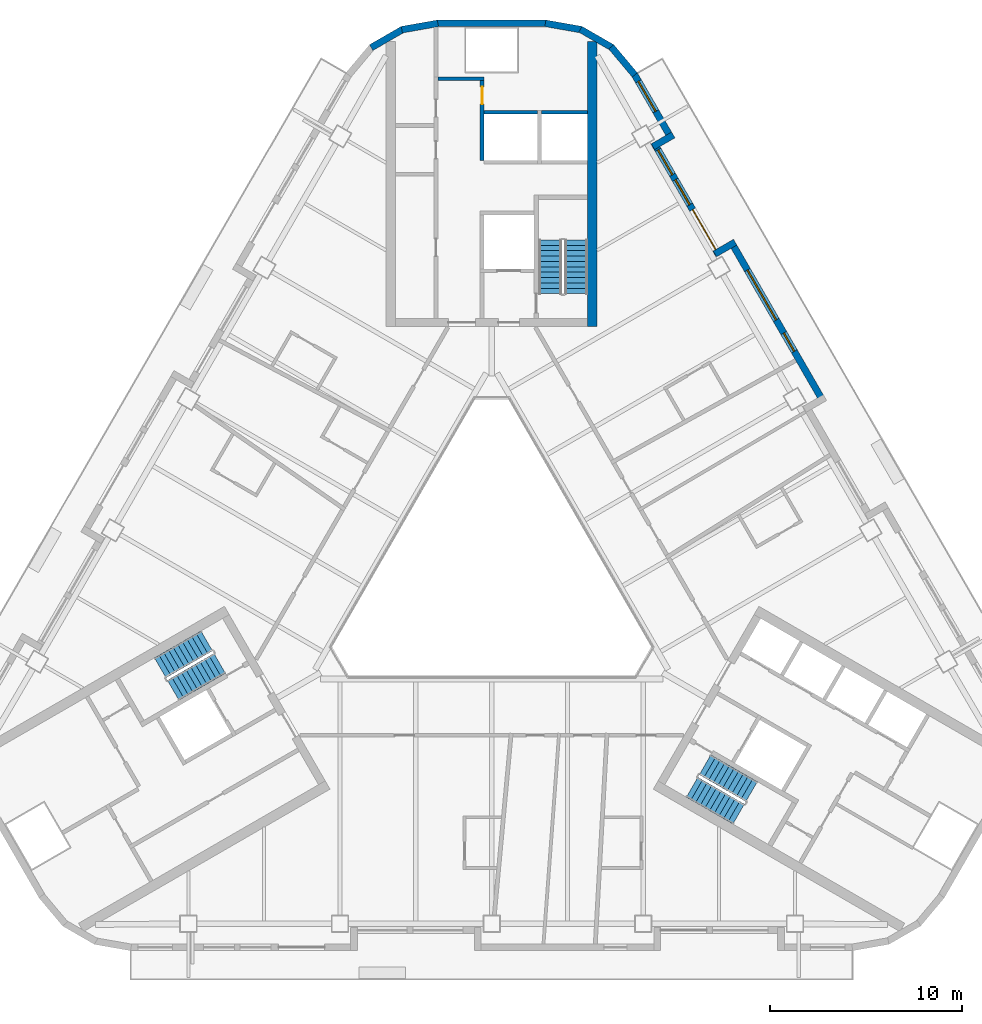
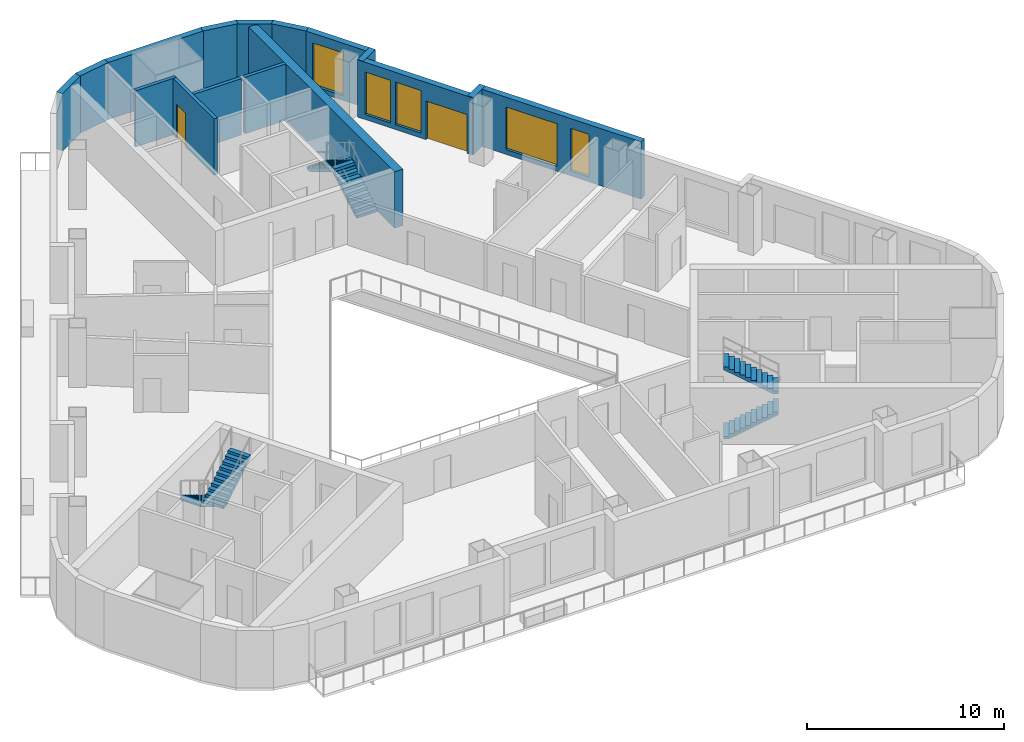
# One storey, part 7 of 13: 16 walls, 6 stair flights, 5 windows, 2 doors, 7 openings, 3 elements without a shape of their own.
"""IFC4 building model written with IfcOpenShell, lengths in metres."""

from ifc_helpers import new_model, si_unit, direction, frame, frame_2d, origin, place, context, subcontext, project, spatial, polyline, rectangle, outline, extrude, material, layer, layer_set, type_object, element, fill, aggregate, save


model = new_model("IFC4")

# Units and contexts
model_context = context("Model", 3, precision=1e-05, world=origin(), true_north=direction((0.0, 1.0)))
body_context = subcontext(model_context, "Body", "Model", "MODEL_VIEW")
ifc_project = project(units=[si_unit("LENGTHUNIT", "METRE"), si_unit("AREAUNIT", "SQUARE_METRE"), si_unit("VOLUMEUNIT", "CUBIC_METRE"), si_unit("PLANEANGLEUNIT", "RADIAN"), si_unit("MASSUNIT", "GRAM", prefix="KILO")], contexts=[model_context])

# Site, building, storey
site_placement = place(None, origin())
site = spatial("IfcSite", under=ifc_project, at=site_placement, CompositionType="ELEMENT")
building_placement = place(site_placement, origin())
building = spatial("IfcBuilding", under=site, at=building_placement, Name="Apuvela Tower Hotel", CompositionType="ELEMENT")
storey_placement = place(building_placement, frame((0.0, 0.0, 124.199951171875)))
storey = spatial("IfcBuildingStorey", under=building, at=storey_placement, Name="L29", CompositionType="ELEMENT", Elevation=124.199951171875)

# Walls
ifc_material_1 = material(Name="Concrete C50/60", Category="concrete")
ifc_layer_1 = layer(ifc_material_1, 0.5)
ifc_layer_set_1 = layer_set([ifc_layer_1], Name="COR-WALL-CORE-500")
wall_type_1 = type_object("IfcWallType", Name="COR-WALL-CORE-500", PredefinedType="SHEAR", material=ifc_layer_set_1)
wall_1_placement = place(storey_placement, frame((5.25, 12.89990234375, 0.0), z_axis=(0.0, 0.0, 1.0), x_axis=(0.0, 1.0, 0.0)))
element("IfcWall", 1, at=wall_1_placement, inside=storey, type_object=wall_type_1, Name="Core wall N", PredefinedType="SHEAR", context=body_context, shape_type="SweptSolid", body=[
    extrude(rectangle(XDim=14.8369140625, YDim=0.5, at=frame_2d((7.41845703125, 0.0))), origin(), (0.0, 0.0, 1.0), 3.5),
])
ifc_layer_2 = layer(ifc_material_1, 0.199951171875)
ifc_layer_set_2 = layer_set([ifc_layer_2], Name="COR-WALL-SHAFT-200")
wall_type_2 = type_object("IfcWallType", Name="COR-WALL-SHAFT-200", PredefinedType="SHEAR", material=ifc_layer_set_2)
wall_2_placement = place(storey_placement, frame((-0.39990234375, 25.800048828125, 0.0), z_axis=(0.0, 0.0, 1.0), x_axis=(-1.0, 0.0, 0.0)))
element("IfcWall", 2, at=wall_2_placement, inside=storey, type_object=wall_type_2, Name="Shaft wall N", PredefinedType="SHEAR", context=body_context, shape_type="SweptSolid", body=[
    extrude(rectangle(XDim=2.400146484375, YDim=0.199951171875, at=frame_2d((1.2001953125, 0.0))), origin(), (0.0, 0.0, 1.0), 3.5),
])

# Wall, opening, door
wall_3_placement = place(storey_placement, frame((-0.5, 21.550048828125, 0.0), z_axis=(0.0, 0.0, 1.0), x_axis=(0.0, 1.0, 0.0)))
wall_3 = element("IfcWall", 3, at=wall_3_placement, inside=storey, type_object=wall_type_2, Name="Shaft wall N", PredefinedType="SHEAR", context=body_context, shape_type="SweptSolid", body=[
    extrude(rectangle(XDim=4.14990234375, YDim=0.199951171875, at=frame_2d((2.074951171875, 0.0))), origin(), (0.0, 0.0, 1.0), 3.5),
])
opening_1_placement = place(wall_3_placement, frame((2.925048828125, 0.0, 0.0)))
opening_1 = element("IfcOpeningElement", 4, at=opening_1_placement, cuts=wall_3, Name="Opening N-RSP", PredefinedType="OPENING", context=body_context, shape_type="SweptSolid", body=[
    extrude(rectangle(XDim=0.89990234375, YDim=2.10009765625, at=frame_2d((0.449951171875, 1.050048828125))), frame((0.0, 0.10986328125, 0.0), z_axis=(0.0, -1.0, 0.0), x_axis=(1.0, 0.0, 0.0)), (0.0, 0.0, 1.0), 0.219970703125),
])
ifc_material_2 = material(Name="Steel fire door, powder coated", Category="steel")
door_type_1 = type_object("IfcDoorType", Name="COR-DR-900", OperationType="NOTDEFINED", PredefinedType="DOOR", material=ifc_material_2)
door_1_placement = place(opening_1_placement, frame((0.89990234375, 0.0, 0.0), z_axis=(0.0, 0.0, 1.0), x_axis=(-1.0, 0.0, 0.0)))
door_1 = element("IfcDoor", 5, at=door_1_placement, inside=storey, type_object=door_type_1, Name="Store door N-RSP", OperationType="SINGLE_SWING_LEFT", OverallHeight=2.10009765625, OverallWidth=0.89990234375, PredefinedType="DOOR", context=body_context, shape_type="SweptSolid", body=[
    extrude(rectangle(XDim=0.89990234375, YDim=2.10009765625, at=frame_2d((0.449951171875, 1.050048828125))), frame((0.0, 0.02490234375, 0.0), z_axis=(0.0, -1.0, 0.0), x_axis=(1.0, 0.0, 0.0)), (0.0, 0.0, 1.0), 0.050048828125),
])
fill(opening_1, door_1)

# Walls
wall_4_placement = place(storey_placement, frame((5.0, 24.050048828125, 0.0), z_axis=(0.0, 0.0, 1.0), x_axis=(-1.0, 0.0, 0.0)))
element("IfcWall", 6, at=wall_4_placement, inside=storey, type_object=wall_type_2, Name="Shaft wall N", PredefinedType="SHEAR", context=body_context, shape_type="SweptSolid", body=[
    extrude(rectangle(XDim=2.39990234375, YDim=0.199951171875, at=frame_2d((1.199951171875, 0.0))), origin(), (0.0, 0.0, 1.0), 3.5),
])
wall_5_placement = place(storey_placement, frame((2.39990234375, 24.050048828125, 0.0), z_axis=(0.0, 0.0, 1.0), x_axis=(-1.0, 0.0, 0.0)))
element("IfcWall", 7, at=wall_5_placement, inside=storey, type_object=wall_type_2, Name="Shaft wall N", PredefinedType="SHEAR", context=body_context, shape_type="SweptSolid", body=[
    extrude(rectangle(XDim=2.7998046875, YDim=0.199951171875, at=frame_2d((1.39990234375, 0.0))), origin(), (0.0, 0.0, 1.0), 3.5),
])

# Wall, openings, windows
ifc_material_3 = material(Name="Concrete C40/50, dark pigmented precast panel", Category="concrete")
ifc_layer_3 = layer(ifc_material_3, 0.35009765625)
ifc_layer_set_3 = layer_set([ifc_layer_3], Name="ENV-WALL-350")
wall_type_3 = type_object("IfcWallType", Name="ENV-WALL-350", PredefinedType="SOLIDWALL", material=ifc_layer_set_3)
wall_6_placement = place(storey_placement, frame((17.298583984375, 8.947998046875, 0.0), z_axis=(0.0, 0.0, 1.0), x_axis=(-0.500010041276, 0.866019606374, 0.0)))
wall_6 = element("IfcWall", 8, at=wall_6_placement, inside=storey, type_object=wall_type_3, Name="External wall L29-37", PredefinedType="SOLIDWALL", context=body_context, shape_type="SweptSolid", body=[
    extrude(rectangle(XDim=9.699951171875, YDim=0.35009765625, at=frame_2d((4.85009765625, 0.0))), origin(), (0.0, 0.0, 1.0), 3.550048828125),
])
opening_2_placement = place(wall_6_placement, frame((3.0595703125, 0.0, 0.300048828125)))
opening_2 = element("IfcOpeningElement", 9, at=opening_2_placement, cuts=wall_6, Name="Opening WN11", PredefinedType="OPENING", context=body_context, shape_type="SweptSolid", body=[
    extrude(rectangle(XDim=1.10009765625, YDim=2.64990234375, at=frame_2d((0.550048828125, 1.324951171875))), frame((0.0, 0.18505859375, 0.0), z_axis=(0.0, -1.0, 0.0), x_axis=(1.0, 0.0, 0.0)), (0.0, 0.0, 1.0), 0.3701171875),
])
opening_3_placement = place(wall_6_placement, frame((4.94921875, 0.0, 0.300048828125)))
opening_3 = element("IfcOpeningElement", 10, at=opening_3_placement, cuts=wall_6, Name="Opening WN30", PredefinedType="OPENING", context=body_context, shape_type="SweptSolid", body=[
    extrude(rectangle(XDim=3.0, YDim=2.64990234375, at=frame_2d((1.5, 1.324951171875))), frame((0.0, 0.18505859375, 0.0), z_axis=(0.0, -1.0, 0.0), x_axis=(1.0, 0.0, 0.0)), (0.0, 0.0, 1.0), 0.3701171875),
])
ifc_material_4 = material(Name="Glass, dark tinted laminated insulated glazing unit", Category="glass")
window_type_1 = type_object("IfcWindowType", Name="ENV-WIN-1100x2650", PartitioningType="SINGLE_PANEL", PredefinedType="WINDOW", material=ifc_material_4)
window_1_placement = place(opening_2_placement, origin())
window_1 = element("IfcWindow", 11, at=window_1_placement, inside=storey, type_object=window_type_1, Name="Window WN11", OverallHeight=2.64990234375, OverallWidth=1.10009765625, PartitioningType="SINGLE_PANEL", PredefinedType="WINDOW", context=body_context, shape_type="SweptSolid", body=[
    extrude(rectangle(XDim=1.10009765625, YDim=2.64990234375, at=frame_2d((0.550048828125, 1.324951171875))), frame((0.0, 0.030029296875, 0.0), z_axis=(0.0, -1.0, 0.0), x_axis=(1.0, 0.0, 0.0)), (0.0, 0.0, 1.0), 0.06005859375),
])
fill(opening_2, window_1)
window_type_2 = type_object("IfcWindowType", Name="ENV-WIN-3000x2650", PartitioningType="SINGLE_PANEL", PredefinedType="WINDOW", material=ifc_material_4)
window_2_placement = place(opening_3_placement, origin())
window_2 = element("IfcWindow", 12, at=window_2_placement, inside=storey, type_object=window_type_2, Name="Window WN30", OverallHeight=2.64990234375, OverallWidth=3.0, PartitioningType="SINGLE_PANEL", PredefinedType="WINDOW", context=body_context, shape_type="SweptSolid", body=[
    extrude(rectangle(XDim=3.0, YDim=2.64990234375, at=frame_2d((1.5, 1.324951171875))), frame((0.0, 0.030029296875, 0.0), z_axis=(0.0, -1.0, 0.0), x_axis=(1.0, 0.0, 0.0)), (0.0, 0.0, 1.0), 0.06005859375),
])
fill(opening_3, window_2)

# Wall
wall_7_placement = place(storey_placement, frame((12.6875, 17.284423828125, 0.0), z_axis=(0.0, 0.0, 1.0), x_axis=(-0.865955602162, -0.500120880472, 0.0)))
element("IfcWall", 13, at=wall_7_placement, inside=storey, type_object=wall_type_3, Name="External wall L29-38", PredefinedType="SOLIDWALL", context=body_context, shape_type="SweptSolid", body=[
    extrude(rectangle(XDim=1.219970703125, YDim=0.35009765625, at=frame_2d((0.60986328125, 0.0))), origin(), (0.0, 0.0, 1.0), 3.550048828125),
])

# Wall, openings, door, windows
wall_8_placement = place(storey_placement, frame((11.8291015625, 16.621337890625, 0.0), z_axis=(0.0, 0.0, 1.0), x_axis=(-0.500003597184, 0.866023326939, 0.0)))
wall_8 = element("IfcWall", 14, at=wall_8_placement, inside=storey, type_object=wall_type_3, Name="External wall L29-39", PredefinedType="SOLIDWALL", context=body_context, shape_type="SweptSolid", body=[
    extrude(rectangle(XDim=6.740234375, YDim=0.35009765625, at=frame_2d((3.3701171875, 0.0))), origin(), (0.0, 0.0, 1.0), 3.550048828125),
])
opening_4_placement = place(wall_8_placement, frame((0.320068359375, 0.0, 0.0)))
opening_4 = element("IfcOpeningElement", 15, at=opening_4_placement, cuts=wall_8, Name="Opening BD24", PredefinedType="OPENING", context=body_context, shape_type="SweptSolid", body=[
    extrude(rectangle(XDim=2.39990234375, YDim=2.39990234375, at=frame_2d((1.199951171875, 1.199951171875))), frame((0.0, 0.18505859375, 0.0), z_axis=(0.0, -1.0, 0.0), x_axis=(1.0, 0.0, 0.0)), (0.0, 0.0, 1.0), 0.3701171875),
])
opening_5_placement = place(wall_8_placement, frame((3.02001953125, 0.0, 0.300048828125)))
opening_5 = element("IfcOpeningElement", 16, at=opening_5_placement, cuts=wall_8, Name="Opening WN15", PredefinedType="OPENING", context=body_context, shape_type="SweptSolid", body=[
    extrude(rectangle(XDim=1.5, YDim=2.64990234375, at=frame_2d((0.75, 1.324951171875))), frame((0.0, 0.18505859375, 0.0), z_axis=(0.0, -1.0, 0.0), x_axis=(1.0, 0.0, 0.0)), (0.0, 0.0, 1.0), 0.3701171875),
])
opening_6_placement = place(wall_8_placement, frame((4.820068359375, 0.0, 0.300048828125)))
opening_6 = element("IfcOpeningElement", 17, at=opening_6_placement, cuts=wall_8, Name="Opening WN15", PredefinedType="OPENING", context=body_context, shape_type="SweptSolid", body=[
    extrude(rectangle(XDim=1.5, YDim=2.64990234375, at=frame_2d((0.75, 1.324951171875))), frame((0.0, 0.18505859375, 0.0), z_axis=(0.0, -1.0, 0.0), x_axis=(1.0, 0.0, 0.0)), (0.0, 0.0, 1.0), 0.3701171875),
])
ifc_material_5 = material(Name="Aluminium 6063-T6, dark bronze anodised frame with dark tinted laminated glass", Category="aluminium")
door_type_2 = type_object("IfcDoorType", Name="ENV-DOOR-BALCONY-2400x2400", OperationType="SLIDING_TO_LEFT", PredefinedType="DOOR", material=ifc_material_5)
door_2_placement = place(opening_4_placement, frame((2.39990234375, 0.0, 0.0), z_axis=(0.0, 0.0, 1.0), x_axis=(-1.0, 0.0, 0.0)))
door_2 = element("IfcDoor", 18, at=door_2_placement, inside=storey, type_object=door_type_2, Name="Balcony door BD24", OperationType="SLIDING_TO_LEFT", OverallHeight=2.39990234375, OverallWidth=2.39990234375, PredefinedType="DOOR", context=body_context, shape_type="SweptSolid", body=[
    extrude(rectangle(XDim=2.39990234375, YDim=2.39990234375, at=frame_2d((1.199951171875, 1.199951171875))), frame((0.0, 0.02490234375, 0.0), z_axis=(0.0, -1.0, 0.0), x_axis=(1.0, 0.0, 0.0)), (0.0, 0.0, 1.0), 0.050048828125),
])
fill(opening_4, door_2)
window_type_3 = type_object("IfcWindowType", Name="ENV-WIN-1500x2650", PartitioningType="SINGLE_PANEL", PredefinedType="WINDOW", material=ifc_material_4)
window_3_placement = place(opening_5_placement, origin())
window_3 = element("IfcWindow", 19, at=window_3_placement, inside=storey, type_object=window_type_3, Name="Window WN15", OverallHeight=2.64990234375, OverallWidth=1.5, PartitioningType="SINGLE_PANEL", PredefinedType="WINDOW", context=body_context, shape_type="SweptSolid", body=[
    extrude(rectangle(XDim=1.5, YDim=2.64990234375, at=frame_2d((0.75, 1.324951171875))), frame((0.0, 0.030029296875, 0.0), z_axis=(0.0, -1.0, 0.0), x_axis=(1.0, 0.0, 0.0)), (0.0, 0.0, 1.0), 0.06005859375),
])
fill(opening_5, window_3)
window_4_placement = place(opening_6_placement, origin())
window_4 = element("IfcWindow", 20, at=window_4_placement, inside=storey, type_object=window_type_3, Name="Window WN15", OverallHeight=2.64990234375, OverallWidth=1.5, PartitioningType="SINGLE_PANEL", PredefinedType="WINDOW", context=body_context, shape_type="SweptSolid", body=[
    extrude(rectangle(XDim=1.5, YDim=2.64990234375, at=frame_2d((0.75, 1.324951171875))), frame((0.0, 0.030029296875, 0.0), z_axis=(0.0, -1.0, 0.0), x_axis=(1.0, 0.0, 0.0)), (0.0, 0.0, 1.0), 0.06005859375),
])
fill(opening_6, window_4)

# Wall
wall_9_placement = place(storey_placement, frame((8.406005859375, 22.26025390625, 0.0), z_axis=(0.0, 0.0, 1.0), x_axis=(0.865955602162, 0.500120880472, 0.0)))
element("IfcWall", 21, at=wall_9_placement, inside=storey, type_object=wall_type_3, Name="External wall L29-40", PredefinedType="SOLIDWALL", context=body_context, shape_type="SweptSolid", body=[
    extrude(rectangle(XDim=1.219970703125, YDim=0.35009765625, at=frame_2d((0.60986328125, 0.0))), origin(), (0.0, 0.0, 1.0), 3.550048828125),
])

# Wall, opening, window
wall_10_placement = place(storey_placement, frame((9.3984375, 22.631103515625, 0.0), z_axis=(0.0, 0.0, 1.0), x_axis=(-0.499954521343, 0.866051659307, 0.0)))
wall_10 = element("IfcWall", 22, at=wall_10_placement, inside=storey, type_object=wall_type_3, Name="External wall L29-41", PredefinedType="SOLIDWALL", context=body_context, shape_type="SweptSolid", body=[
    extrude(rectangle(XDim=3.915771484375, YDim=0.35009765625, at=frame_2d((1.9580078125, 0.0))), origin(), (0.0, 0.0, 1.0), 3.550048828125),
])
opening_7_placement = place(wall_10_placement, frame((1.69970703125, 0.0, 0.300048828125)))
opening_7 = element("IfcOpeningElement", 23, at=opening_7_placement, cuts=wall_10, Name="Opening WN18", PredefinedType="OPENING", context=body_context, shape_type="SweptSolid", body=[
    extrude(rectangle(XDim=1.800048828125, YDim=2.64990234375, at=frame_2d((0.89990234375, 1.324951171875))), frame((0.0, 0.18505859375, 0.0), z_axis=(0.0, -1.0, 0.0), x_axis=(1.0, 0.0, 0.0)), (0.0, 0.0, 1.0), 0.3701171875),
])
window_type_4 = type_object("IfcWindowType", Name="ENV-WIN-1800x2650", PartitioningType="SINGLE_PANEL", PredefinedType="WINDOW", material=ifc_material_4)
window_5_placement = place(opening_7_placement, origin())
window_5 = element("IfcWindow", 24, at=window_5_placement, inside=storey, type_object=window_type_4, Name="Window WN18", OverallHeight=2.64990234375, OverallWidth=1.800048828125, PartitioningType="SINGLE_PANEL", PredefinedType="WINDOW", context=body_context, shape_type="SweptSolid", body=[
    extrude(rectangle(XDim=1.800048828125, YDim=2.64990234375, at=frame_2d((0.89990234375, 1.324951171875))), frame((0.0, 0.030029296875, 0.0), z_axis=(0.0, -1.0, 0.0), x_axis=(1.0, 0.0, 0.0)), (0.0, 0.0, 1.0), 0.06005859375),
])
fill(opening_7, window_5)

# Walls
wall_11_placement = place(storey_placement, frame((7.4580078125, 25.99755859375, 0.0), z_axis=(0.0, 0.0, 1.0), x_axis=(-0.642808304945, 0.766027077259, 0.0)))
element("IfcWall", 25, at=wall_11_placement, inside=storey, type_object=wall_type_3, Name="External wall L29-42", PredefinedType="SOLIDWALL", context=body_context, shape_type="SweptSolid", body=[
    extrude(rectangle(XDim=1.909912109375, YDim=0.35009765625, at=frame_2d((0.955078125, 0.0))), origin(), (0.0, 0.0, 1.0), 3.550048828125),
])
for number, where, z_axis, x_axis, name in (
    (26, (6.27685546875, 27.421630859375, 0.0), (0.0, 0.0, 1.0), (-0.866032345022, 0.499987977232, 0.0), "External wall L29-43"),
    (27, (4.6796875, 28.35595703125, 0.0), (0.0, 0.0, 1.0), (-0.984798995425, 0.173697837091, 0.0), "External wall L29-44"),
):
    element("IfcWall", number, at=place(storey_placement, frame(where, z_axis=z_axis, x_axis=x_axis)), inside=storey, type_object=wall_type_3, Name=name, PredefinedType="SOLIDWALL", context=body_context, shape_type="SweptSolid", body=[
        extrude(rectangle(XDim=1.91015625, YDim=0.35009765625, at=frame_2d((0.955078125, 0.0))), origin(), (0.0, 0.0, 1.0), 3.550048828125),
    ])
wall_12_placement = place(storey_placement, frame((2.8291015625, 28.68505859375, 0.0), z_axis=(0.0, 0.0, 1.0), x_axis=(-1.0, 0.0, 0.0)))
element("IfcWall", 28, at=wall_12_placement, inside=storey, type_object=wall_type_3, Name="External wall L29-45", PredefinedType="SOLIDWALL", context=body_context, shape_type="SweptSolid", body=[
    extrude(rectangle(XDim=5.658203125, YDim=0.35009765625, at=frame_2d((2.8291015625, 0.0))), origin(), (0.0, 0.0, 1.0), 3.550048828125),
])
for number, where, z_axis, x_axis, name in (
    (29, (-2.798583984375, 28.687744140625, 0.0), (0.0, 0.0, 1.0), (-0.984798995425, -0.173697837091, 0.0), "External wall L29-46"),
    (30, (-4.62255859375, 28.376708984375, 0.0), (0.0, 0.0, 1.0), (-0.866032345022, -0.499987977232, 0.0), "External wall L29-47"),
):
    element("IfcWall", number, at=place(storey_placement, frame(where, z_axis=z_axis, x_axis=x_axis)), inside=storey, type_object=wall_type_3, Name=name, PredefinedType="SOLIDWALL", context=body_context, shape_type="SweptSolid", body=[
        extrude(rectangle(XDim=1.91015625, YDim=0.35009765625, at=frame_2d((0.955078125, 0.0))), origin(), (0.0, 0.0, 1.0), 3.550048828125),
    ])

# Stair, stair flights
stair_type = type_object("IfcStairType", Name="COR-STAIR-22R", PredefinedType="HALF_TURN_STAIR", material=ifc_material_1)
stair_1_placement = place(storey_placement, origin())
stair_1 = element("IfcStair", 31, at=stair_1_placement, inside=storey, type_object=stair_type, Name="L29 Exit stair ST1", PredefinedType="HALF_TURN_STAIR")
stair_flight_type = type_object("IfcStairFlightType", Name="COR-FLIGHT-11R", PredefinedType="STRAIGHT", material=ifc_material_1)
stair_flight_1_placement = place(storey_placement, frame((4.39990234375, 14.60009765625, 0.0), z_axis=(0.0, 0.0, 1.0), x_axis=(0.0, 1.0, 0.0)))
stair_flight_1 = element("IfcStairFlight", 32, at=stair_flight_1_placement, type_object=stair_flight_type, Name="ST1 flight 1", NumberOfRisers=11, NumberOfTreads=10, PredefinedType="STRAIGHT", RiserHeight=0.168181818, TreadLength=0.28, context=body_context, shape_type="SweptSolid", body=[
    extrude(outline(polyline([(0.0, 0.0), (0.0, 0.168212890625), (0.280029296875, 0.168212890625), (0.280029296875, 0.33642578125), (0.56005859375, 0.33642578125), (0.56005859375, 0.504638671875), (0.840087890625, 0.504638671875), (0.840087890625, 0.672607421875), (1.1201171875, 0.672607421875), (1.1201171875, 0.8408203125), (1.39990234375, 0.8408203125), (1.39990234375, 1.009033203125), (1.679931640625, 1.009033203125), (1.679931640625, 1.17724609375), (1.9599609375, 1.17724609375), (1.9599609375, 1.345458984375), (2.239990234375, 1.345458984375), (2.239990234375, 1.513671875), (2.52001953125, 1.513671875), (2.52001953125, 1.681884765625), (2.800048828125, 1.681884765625), (2.800048828125, 1.85009765625), (2.800048828125, 1.5068359375), (0.291015625, 0.0), (0.0, 0.0)])), frame((0.0, 0.60009765625, 0.0), z_axis=(0.0, -1.0, 0.0), x_axis=(1.0, 0.0, 0.0)), (0.0, 0.0, 1.0), 1.199951171875),
])
stair_flight_2_placement = place(storey_placement, frame((3.050048828125, 17.39990234375, 1.85009765625), z_axis=(0.0, 0.0, 1.0), x_axis=(0.0, -1.0, 0.0)))
stair_flight_2 = element("IfcStairFlight", 33, at=stair_flight_2_placement, type_object=stair_flight_type, Name="ST1 flight 2", NumberOfRisers=11, NumberOfTreads=10, PredefinedType="STRAIGHT", RiserHeight=0.168181818, TreadLength=0.28, context=body_context, shape_type="SweptSolid", body=[
    extrude(outline(polyline([(0.0, 0.0), (0.0, 0.168212890625), (0.280029296875, 0.168212890625), (0.280029296875, 0.33642578125), (0.56005859375, 0.33642578125), (0.56005859375, 0.504638671875), (0.840087890625, 0.504638671875), (0.840087890625, 0.672607421875), (1.1201171875, 0.672607421875), (1.1201171875, 0.8408203125), (1.39990234375, 0.8408203125), (1.39990234375, 1.009033203125), (1.679931640625, 1.009033203125), (1.679931640625, 1.17724609375), (1.9599609375, 1.17724609375), (1.9599609375, 1.345458984375), (2.239990234375, 1.345458984375), (2.239990234375, 1.513671875), (2.52001953125, 1.513671875), (2.52001953125, 1.681884765625), (2.800048828125, 1.681884765625), (2.800048828125, 1.85009765625), (2.800048828125, 1.5068359375), (0.291015625, 0.0), (0.0, 0.0)])), frame((0.0, 0.60009765625, 0.0), z_axis=(0.0, -1.0, 0.0), x_axis=(1.0, 0.0, 0.0)), (0.0, 0.0, 1.0), 1.199951171875),
])
aggregate(stair_1, [stair_flight_1, stair_flight_2])

stair_2_placement = place(storey_placement, origin())
stair_2 = element("IfcStair", 34, at=stair_2_placement, inside=storey, type_object=stair_type, Name="L29 Exit stair ST2", PredefinedType="HALF_TURN_STAIR")
stair_flight_3_placement = place(storey_placement, frame((-14.843994140625, -3.489501953125, 0.0), z_axis=(0.0, 0.0, 1.0), x_axis=(-0.866025403784, -0.5, 0.0)))
stair_flight_3 = element("IfcStairFlight", 35, at=stair_flight_3_placement, type_object=stair_flight_type, Name="ST2 flight 1", NumberOfRisers=11, NumberOfTreads=10, PredefinedType="STRAIGHT", RiserHeight=0.168181818, TreadLength=0.28, context=body_context, shape_type="SweptSolid", body=[
    extrude(outline(polyline([(0.0, 0.0), (0.0, 0.168212890625), (0.280029296875, 0.168212890625), (0.280029296875, 0.33642578125), (0.56005859375, 0.33642578125), (0.56005859375, 0.504638671875), (0.840087890625, 0.504638671875), (0.840087890625, 0.672607421875), (1.1201171875, 0.672607421875), (1.1201171875, 0.8408203125), (1.39990234375, 0.8408203125), (1.39990234375, 1.009033203125), (1.679931640625, 1.009033203125), (1.679931640625, 1.17724609375), (1.9599609375, 1.17724609375), (1.9599609375, 1.345458984375), (2.239990234375, 1.345458984375), (2.239990234375, 1.513671875), (2.52001953125, 1.513671875), (2.52001953125, 1.681884765625), (2.800048828125, 1.681884765625), (2.800048828125, 1.85009765625), (2.800048828125, 1.5068359375), (0.291015625, 0.0), (0.0, 0.0)])), frame((0.0, 0.60009765625, 0.0), z_axis=(0.0, -1.0, 0.0), x_axis=(1.0, 0.0, 0.0)), (0.0, 0.0, 1.0), 1.199951171875),
])
stair_flight_4_placement = place(storey_placement, frame((-16.59375, -6.05859375, 1.85009765625), z_axis=(0.0, 0.0, 1.0), x_axis=(0.866025403784, 0.5, 0.0)))
stair_flight_4 = element("IfcStairFlight", 36, at=stair_flight_4_placement, type_object=stair_flight_type, Name="ST2 flight 2", NumberOfRisers=11, NumberOfTreads=10, PredefinedType="STRAIGHT", RiserHeight=0.168181818, TreadLength=0.28, context=body_context, shape_type="SweptSolid", body=[
    extrude(outline(polyline([(0.0, 0.0), (0.0, 0.168212890625), (0.280029296875, 0.168212890625), (0.280029296875, 0.33642578125), (0.56005859375, 0.33642578125), (0.56005859375, 0.504638671875), (0.840087890625, 0.504638671875), (0.840087890625, 0.672607421875), (1.1201171875, 0.672607421875), (1.1201171875, 0.8408203125), (1.39990234375, 0.8408203125), (1.39990234375, 1.009033203125), (1.679931640625, 1.009033203125), (1.679931640625, 1.17724609375), (1.9599609375, 1.17724609375), (1.9599609375, 1.345458984375), (2.239990234375, 1.345458984375), (2.239990234375, 1.513671875), (2.52001953125, 1.513671875), (2.52001953125, 1.681884765625), (2.800048828125, 1.681884765625), (2.800048828125, 1.85009765625), (2.800048828125, 1.5068359375), (0.291015625, 0.0), (0.0, 0.0)])), frame((0.0, 0.60009765625, 0.0), z_axis=(0.0, -1.0, 0.0), x_axis=(1.0, 0.0, 0.0)), (0.0, 0.0, 1.0), 1.199951171875),
])
aggregate(stair_2, [stair_flight_3, stair_flight_4])

stair_3_placement = place(storey_placement, origin())
stair_3 = element("IfcStair", 37, at=stair_3_placement, inside=storey, type_object=stair_type, Name="L29 Exit stair ST3", PredefinedType="HALF_TURN_STAIR")
stair_flight_5_placement = place(storey_placement, frame((10.444091796875, -11.110595703125, 0.0), z_axis=(0.0, 0.0, 1.0), x_axis=(0.866025403784, -0.5, 0.0)))
stair_flight_5 = element("IfcStairFlight", 38, at=stair_flight_5_placement, type_object=stair_flight_type, Name="ST3 flight 1", NumberOfRisers=11, NumberOfTreads=10, PredefinedType="STRAIGHT", RiserHeight=0.168181818, TreadLength=0.28, context=body_context, shape_type="SweptSolid", body=[
    extrude(outline(polyline([(0.0, 0.0), (0.0, 0.168212890625), (0.280029296875, 0.168212890625), (0.280029296875, 0.33642578125), (0.56005859375, 0.33642578125), (0.56005859375, 0.504638671875), (0.840087890625, 0.504638671875), (0.840087890625, 0.672607421875), (1.1201171875, 0.672607421875), (1.1201171875, 0.8408203125), (1.39990234375, 0.8408203125), (1.39990234375, 1.009033203125), (1.679931640625, 1.009033203125), (1.679931640625, 1.17724609375), (1.9599609375, 1.17724609375), (1.9599609375, 1.345458984375), (2.239990234375, 1.345458984375), (2.239990234375, 1.513671875), (2.52001953125, 1.513671875), (2.52001953125, 1.681884765625), (2.800048828125, 1.681884765625), (2.800048828125, 1.85009765625), (2.800048828125, 1.5068359375), (0.291015625, 0.0), (0.0, 0.0)])), frame((0.0, 0.60009765625, 0.0), z_axis=(0.0, -1.0, 0.0), x_axis=(1.0, 0.0, 0.0)), (0.0, 0.0, 1.0), 1.199951171875),
])
stair_flight_6_placement = place(storey_placement, frame((13.5439453125, -11.34130859375, 1.85009765625), z_axis=(0.0, 0.0, 1.0), x_axis=(-0.866025403784, 0.5, 0.0)))
stair_flight_6 = element("IfcStairFlight", 39, at=stair_flight_6_placement, type_object=stair_flight_type, Name="ST3 flight 2", NumberOfRisers=11, NumberOfTreads=10, PredefinedType="STRAIGHT", RiserHeight=0.168181818, TreadLength=0.28, context=body_context, shape_type="SweptSolid", body=[
    extrude(outline(polyline([(0.0, 0.0), (0.0, 0.168212890625), (0.280029296875, 0.168212890625), (0.280029296875, 0.33642578125), (0.56005859375, 0.33642578125), (0.56005859375, 0.504638671875), (0.840087890625, 0.504638671875), (0.840087890625, 0.672607421875), (1.1201171875, 0.672607421875), (1.1201171875, 0.8408203125), (1.39990234375, 0.8408203125), (1.39990234375, 1.009033203125), (1.679931640625, 1.009033203125), (1.679931640625, 1.17724609375), (1.9599609375, 1.17724609375), (1.9599609375, 1.345458984375), (2.239990234375, 1.345458984375), (2.239990234375, 1.513671875), (2.52001953125, 1.513671875), (2.52001953125, 1.681884765625), (2.800048828125, 1.681884765625), (2.800048828125, 1.85009765625), (2.800048828125, 1.5068359375), (0.291015625, 0.0), (0.0, 0.0)])), frame((0.0, 0.60009765625, 0.0), z_axis=(0.0, -1.0, 0.0), x_axis=(1.0, 0.0, 0.0)), (0.0, 0.0, 1.0), 1.199951171875),
])
aggregate(stair_3, [stair_flight_5, stair_flight_6])

save(model, "model.ifc")
